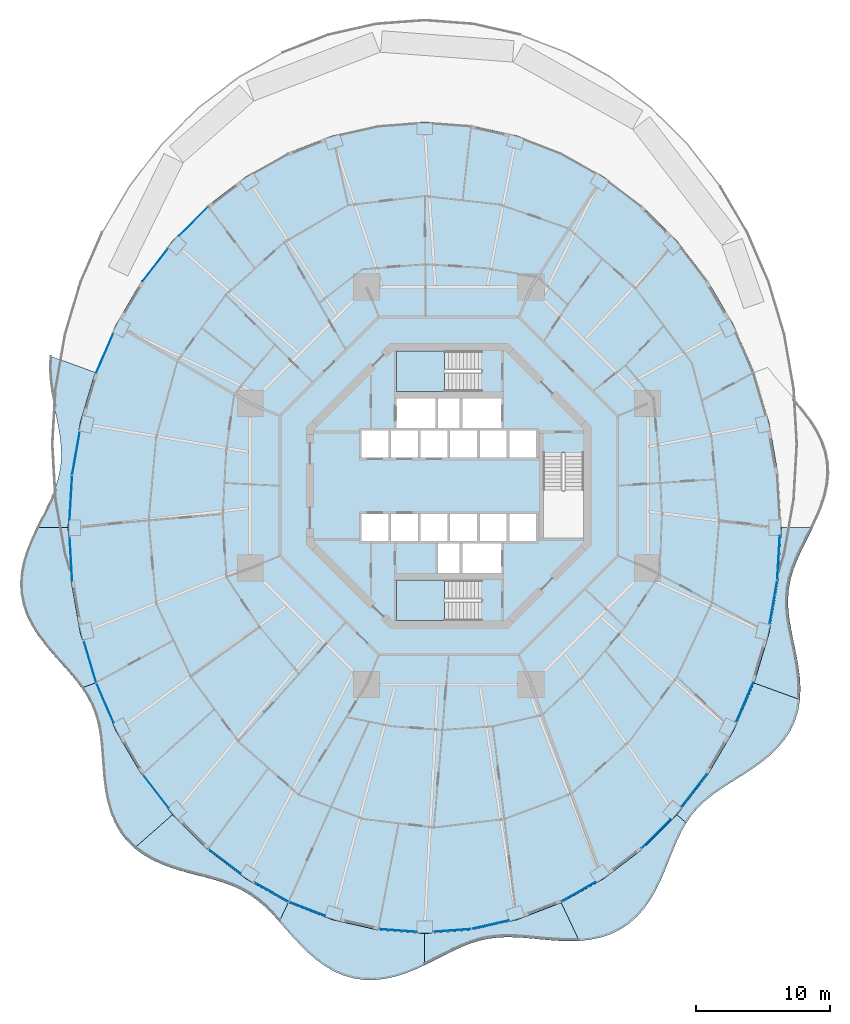
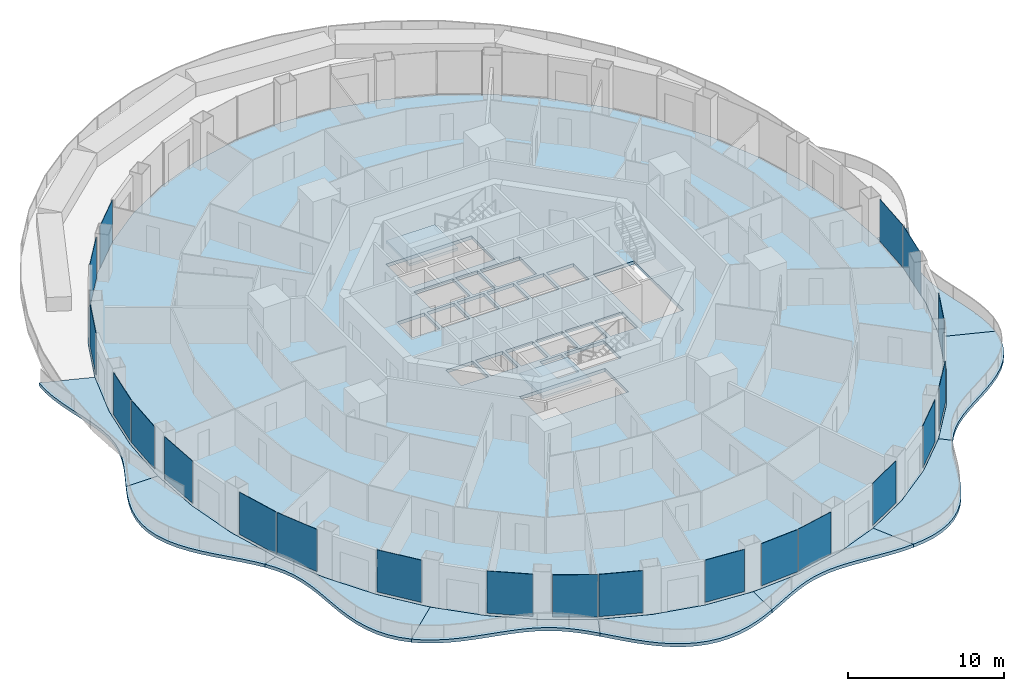
# One storey, part 10 of 20: 21 plates, 12 slabs, 23 elements without a shape of their own.
"""IFC4 building model written with IfcOpenShell, lengths in metres."""

from ifc_helpers import new_model, si_unit, direction, frame, origin, origin_2d, place, context, subcontext, project, spatial, polyline, rectangle, outline, extrude, material, layer, layer_set, type_object, element, aggregate, save


model = new_model("IFC4")

# Units and contexts
model_context = context("Model", 3, precision=1e-05, world=origin(), true_north=direction((0.0, 1.0)))
body_context = subcontext(model_context, "Body", "Model", "MODEL_VIEW")
ifc_project = project(units=[si_unit("LENGTHUNIT", "METRE"), si_unit("AREAUNIT", "SQUARE_METRE"), si_unit("VOLUMEUNIT", "CUBIC_METRE"), si_unit("PLANEANGLEUNIT", "RADIAN"), si_unit("MASSUNIT", "GRAM", prefix="KILO")], contexts=[model_context])

# Site, building, storey
site_placement = place(None, origin())
site = spatial("IfcSite", under=ifc_project, at=site_placement, CompositionType="ELEMENT")
building_placement = place(site_placement, origin())
building = spatial("IfcBuilding", under=site, at=building_placement, Name="Nagisa Residences", CompositionType="ELEMENT")
storey_placement = place(building_placement, frame((0.0, 0.0, 119.60009765625)))
storey = spatial("IfcBuildingStorey", under=building, at=storey_placement, Name="L29", CompositionType="ELEMENT", Elevation=119.60009765625)

# Slabs
ifc_material_1 = material(Name="Concrete C40/50", Category="concrete")
ifc_layer_1 = layer(ifc_material_1, 0.25)
ifc_layer_set_1 = layer_set([ifc_layer_1], Name="BALCONY SLAB 250")
slab_type_1 = type_object("IfcSlabType", Name="BALCONY SLAB 250", PredefinedType="FLOOR", material=ifc_layer_set_1)
slab_1_placement = place(storey_placement, frame((0.0, 0.0, -0.25)))
element("IfcSlab", 1, at=slab_1_placement, inside=storey, type_object=slab_type_1, Name="slab:L29:bal07", PredefinedType="FLOOR", context=body_context, shape_type="SweptSolid", body=[
    extrude(outline(polyline([(-29.717529296875, 9.67578125), (-29.754638671875, 8.824462890625), (-29.70556640625, 7.957763671875), (-29.58935546875, 7.086181640625), (-29.429443359375, 6.219482421875), (-29.250732421875, 5.36572265625), (-29.079345703125, 4.53076171875), (-28.939208984375, 3.71728515625), (-28.8515625, 2.926025390625), (-28.832763671875, 2.1552734375), (-28.893798828125, 1.400634765625), (-29.037841796875, 0.65673828125), (-29.262451171875, -0.0830078125), (-29.557861328125, -0.8251953125), (-29.907958984375, -1.575439453125), (-30.291748046875, -2.338623046875), (-30.68505859375, -3.11767578125), (-28.3349609375, -3.11767578125), (-28.10791015625, 0.823486328125), (-27.430908203125, 4.697265625), (-26.315185546875, 8.4375), (-29.717529296875, 9.67578125)])), origin(), (0.0, 0.0, 1.0), 0.25),
])
slab_2_placement = place(storey_placement, frame((0.0, 0.0, -0.25)))
element("IfcSlab", 2, at=slab_2_placement, inside=storey, type_object=slab_type_1, Name="slab:L29:bal08", PredefinedType="FLOOR", context=body_context, shape_type="SweptSolid", body=[
    extrude(outline(polyline([(-30.68505859375, -3.11767578125), (-31.061279296875, -3.9130859375), (-31.39453125, -4.7236328125), (-31.66015625, -5.545654296875), (-31.83740234375, -6.3740234375), (-31.909912109375, -7.20166015625), (-31.868408203125, -8.02197265625), (-31.709716796875, -8.827392578125), (-31.437744140625, -9.611572265625), (-31.06298828125, -10.3701171875), (-30.60205078125, -11.10009765625), (-30.075927734375, -11.80126953125), (-29.509033203125, -12.47607421875), (-28.9267578125, -13.129638671875), (-28.3544921875, -13.76904296875), (-27.815673828125, -14.403076171875), (-27.329345703125, -15.0419921875), (-26.315185546875, -14.6728515625), (-27.430908203125, -10.9326171875), (-28.10791015625, -7.058837890625), (-28.3349609375, -3.11767578125), (-30.68505859375, -3.11767578125)])), origin(), (0.0, 0.0, 1.0), 0.25),
])
slab_3_placement = place(storey_placement, frame((0.0, 0.0, -0.25)))
element("IfcSlab", 3, at=slab_3_placement, inside=storey, type_object=slab_type_1, Name="slab:L29:bal09", PredefinedType="FLOOR", context=body_context, shape_type="SweptSolid", body=[
    extrude(outline(polyline([(-27.329345703125, -15.0419921875), (-26.921875, -15.675048828125), (-26.584716796875, -16.330322265625), (-26.320068359375, -17.0146484375), (-26.123779296875, -17.732666015625), (-25.986328125, -18.486572265625), (-25.893798828125, -19.275146484375), (-25.828369140625, -20.09375), (-25.769775390625, -20.934814453125), (-25.69677734375, -21.787841796875), (-25.588134765625, -22.639892578125), (-25.425537109375, -23.476806640625), (-25.1923828125, -24.283935546875), (-24.87744140625, -25.047119140625), (-24.4736328125, -25.75341796875), (-23.97900390625, -26.39306640625), (-23.397216796875, -26.959228515625), (-20.56298828125, -24.46875), (-22.8515625, -21.499267578125), (-24.780029296875, -18.215087890625), (-26.315185546875, -14.6728515625), (-27.329345703125, -15.0419921875)])), origin(), (0.0, 0.0, 1.0), 0.25),
])
slab_4_placement = place(storey_placement, frame((0.0, 0.0, -0.25)))
element("IfcSlab", 4, at=slab_4_placement, inside=storey, type_object=slab_type_1, Name="slab:L29:bal10", PredefinedType="FLOOR", context=body_context, shape_type="SweptSolid", body=[
    extrude(outline(polyline([(-23.397216796875, -26.959228515625), (-22.768798828125, -27.42822265625), (-22.0791015625, -27.8291015625), (-21.341552734375, -28.16748046875), (-20.57080078125, -28.451904296875), (-19.7822265625, -28.693603515625), (-18.991455078125, -28.9072265625), (-18.21240234375, -29.10791015625), (-17.45654296875, -29.31201171875), (-16.73291015625, -29.535400390625), (-16.047119140625, -29.792236328125), (-15.4013671875, -30.09423828125), (-14.7939453125, -30.44970703125), (-14.22021484375, -30.863037109375), (-13.673095703125, -31.333984375), (-13.14306640625, -31.857666015625), (-12.619384765625, -32.425048828125), (-11.95458984375, -31.01416015625), (-15.0673828125, -29.267333984375), (-17.953369140625, -27.072998046875), (-20.56298828125, -24.46875), (-23.397216796875, -26.959228515625)])), origin(), (0.0, 0.0, 1.0), 0.25),
])
slab_5_placement = place(storey_placement, frame((0.0, 0.0, -0.25)))
element("IfcSlab", 5, at=slab_5_placement, inside=storey, type_object=slab_type_1, Name="slab:L29:bal11", PredefinedType="FLOOR", context=body_context, shape_type="SweptSolid", body=[
    extrude(outline(polyline([(-12.619384765625, -32.425048828125), (-12.110595703125, -33.00048828125), (-11.58837890625, -33.5888671875), (-11.044189453125, -34.173583984375), (-10.471923828125, -34.736572265625), (-9.86669921875, -35.25927734375), (-9.226806640625, -35.724365234375), (-8.55224609375, -36.116943359375), (-7.845947265625, -36.42431640625), (-7.1123046875, -36.6376953125), (-6.35791015625, -36.75244140625), (-5.590087890625, -36.768310546875), (-4.81640625, -36.690185546875), (-4.04443359375, -36.5263671875), (-3.281005859375, -36.289794921875), (-2.53173828125, -35.995849609375), (-1.800048828125, -35.66259765625), (-1.800048828125, -33.312744140625), (-5.263427734375, -33.054443359375), (-8.667724609375, -32.283935546875), (-11.95458984375, -31.01416015625), (-12.619384765625, -32.425048828125)])), origin(), (0.0, 0.0, 1.0), 0.25),
])
slab_6_placement = place(storey_placement, frame((0.0, 0.0, -0.25)))
element("IfcSlab", 6, at=slab_6_placement, inside=storey, type_object=slab_type_1, Name="slab:L29:bal12", PredefinedType="FLOOR", context=body_context, shape_type="SweptSolid", body=[
    extrude(outline(polyline([(-1.800048828125, -35.66259765625), (-1.087646484375, -35.30908203125), (-0.39404296875, -34.954345703125), (0.282958984375, -34.616455078125), (0.94775390625, -34.310791015625), (1.606201171875, -34.05078125), (2.26416015625, -33.844970703125), (2.9287109375, -33.6982421875), (3.605712890625, -33.611083984375), (4.300537109375, -33.5791015625), (5.016845703125, -33.59375), (5.756103515625, -33.6435546875), (6.517822265625, -33.713623046875), (7.298583984375, -33.787353515625), (8.093505859375, -33.8466796875), (8.894775390625, -33.874755859375), (9.693359375, -33.85498046875), (8.3544921875, -31.01416015625), (5.06787109375, -32.283935546875), (1.66357421875, -33.054443359375), (-1.800048828125, -33.312744140625), (-1.800048828125, -35.66259765625)])), origin(), (0.0, 0.0, 1.0), 0.25),
])
slab_7_placement = place(storey_placement, frame((0.0, 0.0, -0.25)))
element("IfcSlab", 7, at=slab_7_placement, inside=storey, type_object=slab_type_1, Name="slab:L29:bal13", PredefinedType="FLOOR", context=body_context, shape_type="SweptSolid", body=[
    extrude(outline(polyline([(9.693359375, -33.85498046875), (10.50830078125, -33.768798828125), (11.297607421875, -33.603271484375), (12.050048828125, -33.350341796875), (12.755126953125, -33.005859375), (13.405029296875, -32.5703125), (13.994140625, -32.04931640625), (14.520751953125, -31.45166015625), (14.986083984375, -30.790283203125), (15.3955078125, -30.080078125), (15.757080078125, -29.338134765625), (16.08203125, -28.581298828125), (16.38427734375, -27.826171875), (16.67822265625, -27.08740234375), (16.979248046875, -26.3779296875), (17.302001953125, -25.70703125), (17.659423828125, -25.080810546875), (16.963134765625, -24.46875), (14.353515625, -27.072998046875), (11.467529296875, -29.267333984375), (8.3544921875, -31.01416015625), (9.693359375, -33.85498046875)])), origin(), (0.0, 0.0, 1.0), 0.25),
])
slab_8_placement = place(storey_placement, frame((0.0, 0.0, -0.25)))
element("IfcSlab", 8, at=slab_8_placement, inside=storey, type_object=slab_type_1, Name="slab:L29:bal14", PredefinedType="FLOOR", context=body_context, shape_type="SweptSolid", body=[
    extrude(outline(polyline([(17.659423828125, -25.080810546875), (18.082763671875, -24.47412109375), (18.5634765625, -23.917236328125), (19.1044921875, -23.404541015625), (19.704345703125, -22.927001953125), (20.355224609375, -22.47265625), (21.045654296875, -22.0283203125), (21.759521484375, -21.580078125), (22.4775390625, -21.11474609375), (23.178955078125, -20.620361328125), (23.842041015625, -20.0869140625), (24.447021484375, -19.50830078125), (24.975341796875, -18.880126953125), (25.413330078125, -18.202392578125), (25.75146484375, -17.4775390625), (25.985595703125, -16.71142578125), (26.117431640625, -15.911376953125), (22.715087890625, -14.6728515625), (21.179931640625, -18.215087890625), (19.251708984375, -21.499267578125), (16.963134765625, -24.46875), (17.659423828125, -25.080810546875)])), origin(), (0.0, 0.0, 1.0), 0.25),
])
slab_9_placement = place(storey_placement, frame((0.0, 0.0, -0.25)))
element("IfcSlab", 9, at=slab_9_placement, inside=storey, type_object=slab_type_1, Name="slab:L29:bal15", PredefinedType="FLOOR", context=body_context, shape_type="SweptSolid", body=[
    extrude(outline(polyline([(26.117431640625, -15.911376953125), (26.15478515625, -15.06005859375), (26.10546875, -14.193115234375), (25.9892578125, -13.321533203125), (25.829345703125, -12.454833984375), (25.650634765625, -11.60107421875), (25.479248046875, -10.76611328125), (25.339111328125, -9.95263671875), (25.25146484375, -9.16162109375), (25.23291015625, -8.390625), (25.293701171875, -7.635986328125), (25.43798828125, -6.89208984375), (25.66259765625, -6.15234375), (25.957763671875, -5.41015625), (26.307861328125, -4.659912109375), (26.691650390625, -3.896728515625), (27.0849609375, -3.11767578125), (24.735107421875, -3.11767578125), (24.508056640625, -7.058837890625), (23.830810546875, -10.9326171875), (22.715087890625, -14.6728515625), (26.117431640625, -15.911376953125)])), origin(), (0.0, 0.0, 1.0), 0.25),
])

# Curtain wall, plate
ifc_material_2 = material(Name="Concrete-coloured aluminium curtain wall system", Category="concrete")
ifc_layer_2 = layer(ifc_material_2, 0.159912109375)
ifc_layer_set_2 = layer_set([ifc_layer_2], Name="CW1 CURTAIN WALL")
curtain_wall_type = type_object("IfcCurtainWallType", Name="CW1 CURTAIN WALL", PredefinedType="NOTDEFINED", material=ifc_layer_set_2)
curtain_wall_1_placement = place(storey_placement, origin())
curtain_wall_1 = element("IfcCurtainWall", 10, at=curtain_wall_1_placement, inside=storey, type_object=curtain_wall_type, Name="cw:CW1:L29:17", PredefinedType="NOTDEFINED")
ifc_material_3 = material(Name="Clear laminated glass", Category="glass")
ifc_layer_3 = layer(ifc_material_3, 0.028076171875)
ifc_layer_set_3 = layer_set([ifc_layer_3], Name="CW1 GLASS PANEL")
plate_type = type_object("IfcPlateType", Name="CW1 GLASS PANEL", PredefinedType="CURTAIN_PANEL", material=ifc_layer_set_3)
plate_1_placement = place(storey_placement, frame((-19.0107421875, 19.669677734375, 0.14990234375), z_axis=(0.0, 0.0, 1.0), x_axis=(-0.707835924016, -0.706376885714, 0.0)))
plate_1 = element("IfcPlate", 11, at=plate_1_placement, type_object=plate_type, Name="CW1 panel", PredefinedType="CURTAIN_PANEL", context=body_context, shape_type="SweptSolid", body=[
    extrude(rectangle(XDim=3.026611328125, YDim=0.028076171875, at=origin_2d()), origin(), (0.0, 0.0, 1.0), 3.2900390625),
])
aggregate(curtain_wall_1, [plate_1])

curtain_wall_2_placement = place(storey_placement, origin())
curtain_wall_2 = element("IfcCurtainWall", 12, at=curtain_wall_2_placement, inside=storey, type_object=curtain_wall_type, Name="cw:CW1:L29:18", PredefinedType="NOTDEFINED")
plate_2_placement = place(storey_placement, frame((-21.845458984375, 16.4384765625, 0.14990234375), z_axis=(0.0, 0.0, 1.0), x_axis=(-0.610429828235, -0.792070340816, 0.0)))
plate_2 = element("IfcPlate", 13, at=plate_2_placement, type_object=plate_type, Name="CW1 panel", PredefinedType="CURTAIN_PANEL", context=body_context, shape_type="SweptSolid", body=[
    extrude(rectangle(XDim=3.089111328125, YDim=0.028076171875, at=origin_2d()), origin(), (0.0, 0.0, 1.0), 3.2900390625),
])
aggregate(curtain_wall_2, [plate_2])

curtain_wall_3_placement = place(storey_placement, origin())
curtain_wall_3 = element("IfcCurtainWall", 14, at=curtain_wall_3_placement, inside=storey, type_object=curtain_wall_type, Name="cw:CW1:L29:20", PredefinedType="NOTDEFINED")
plate_3_placement = place(storey_placement, frame((-25.60546875, 9.8740234375, 0.14990234375), z_axis=(0.0, 0.0, 1.0), x_axis=(-0.397635934147, -0.917543276295, 0.0)))
plate_3 = element("IfcPlate", 15, at=plate_3_placement, type_object=plate_type, Name="CW1 panel", PredefinedType="CURTAIN_PANEL", context=body_context, shape_type="SweptSolid", body=[
    extrude(rectangle(XDim=3.20068359375, YDim=0.028076171875, at=origin_2d()), origin(), (0.0, 0.0, 1.0), 3.2900390625),
])
aggregate(curtain_wall_3, [plate_3])

curtain_wall_4_placement = place(storey_placement, origin())
curtain_wall_4 = element("IfcCurtainWall", 16, at=curtain_wall_4_placement, inside=storey, type_object=curtain_wall_type, Name="cw:CW1:L29:22", PredefinedType="NOTDEFINED")
plate_4_placement = place(storey_placement, frame((-27.747314453125, 2.421630859375, 0.14990234375), z_axis=(0.0, 0.0, 1.0), x_axis=(-0.172190868898, -0.985063604377, 0.0)))
plate_4 = element("IfcPlate", 17, at=plate_4_placement, type_object=plate_type, Name="CW1 panel", PredefinedType="CURTAIN_PANEL", context=body_context, shape_type="SweptSolid", body=[
    extrude(rectangle(XDim=3.2724609375, YDim=0.028076171875, at=origin_2d()), origin(), (0.0, 0.0, 1.0), 3.2900390625),
])
aggregate(curtain_wall_4, [plate_4])

curtain_wall_5_placement = place(storey_placement, origin())
curtain_wall_5 = element("IfcCurtainWall", 18, at=curtain_wall_5_placement, inside=storey, type_object=curtain_wall_type, Name="cw:CW1:L29:23", PredefinedType="NOTDEFINED")
plate_5_placement = place(storey_placement, frame((-28.126220703125, -0.882080078125, 0.14990234375), z_axis=(0.0, 0.0, 1.0), x_axis=(-0.057503492216, -0.998345305184, 0.0)))
plate_5 = element("IfcPlate", 19, at=plate_5_placement, type_object=plate_type, Name="CW1 panel", PredefinedType="CURTAIN_PANEL", context=body_context, shape_type="SweptSolid", body=[
    extrude(rectangle(XDim=3.287841796875, YDim=0.028076171875, at=origin_2d()), origin(), (0.0, 0.0, 1.0), 3.2900390625),
])
aggregate(curtain_wall_5, [plate_5])

curtain_wall_6_placement = place(storey_placement, origin())
curtain_wall_6 = element("IfcCurtainWall", 20, at=curtain_wall_6_placement, inside=storey, type_object=curtain_wall_type, Name="cw:CW1:L29:24", PredefinedType="NOTDEFINED")
plate_6_placement = place(storey_placement, frame((-28.12255859375, -5.4130859375, 0.14990234375), z_axis=(0.0, 0.0, 1.0), x_axis=(0.057503492216, -0.998345305184, 0.0)))
plate_6 = element("IfcPlate", 21, at=plate_6_placement, type_object=plate_type, Name="CW1 panel", PredefinedType="CURTAIN_PANEL", context=body_context, shape_type="SweptSolid", body=[
    extrude(rectangle(XDim=3.287841796875, YDim=0.028076171875, at=origin_2d()), origin(), (0.0, 0.0, 1.0), 3.2900390625),
])
aggregate(curtain_wall_6, [plate_6])

curtain_wall_7_placement = place(storey_placement, origin())
curtain_wall_7 = element("IfcCurtainWall", 22, at=curtain_wall_7_placement, inside=storey, type_object=curtain_wall_type, Name="cw:CW1:L29:26", PredefinedType="NOTDEFINED")
plate_7_placement = place(storey_placement, frame((-26.701904296875, -13.09619140625, 0.14990234375), z_axis=(0.0, 0.0, 1.0), x_axis=(0.285860274038, -0.958271310082, 0.0)))
plate_7 = element("IfcPlate", 23, at=plate_7_placement, type_object=plate_type, Name="CW1 panel", PredefinedType="CURTAIN_PANEL", context=body_context, shape_type="SweptSolid", body=[
    extrude(rectangle(XDim=3.242919921875, YDim=0.028076171875, at=origin_2d()), origin(), (0.0, 0.0, 1.0), 3.2900390625),
])
aggregate(curtain_wall_7, [plate_7])

curtain_wall_8_placement = place(storey_placement, origin())
curtain_wall_8 = element("IfcCurtainWall", 24, at=curtain_wall_8_placement, inside=storey, type_object=curtain_wall_type, Name="cw:CW1:L29:27", PredefinedType="NOTDEFINED")
plate_8_placement = place(storey_placement, frame((-25.58154296875, -16.16455078125, 0.14990234375), z_axis=(0.0, 0.0, 1.0), x_axis=(0.397635934147, -0.917543276295, 0.0)))
plate_8 = element("IfcPlate", 25, at=plate_8_placement, type_object=plate_type, Name="CW1 panel", PredefinedType="CURTAIN_PANEL", context=body_context, shape_type="SweptSolid", body=[
    extrude(rectangle(XDim=3.20068359375, YDim=0.028076171875, at=origin_2d()), origin(), (0.0, 0.0, 1.0), 3.2900390625),
])
aggregate(curtain_wall_8, [plate_8])

curtain_wall_9_placement = place(storey_placement, origin())
curtain_wall_9 = element("IfcCurtainWall", 26, at=curtain_wall_9_placement, inside=storey, type_object=curtain_wall_type, Name="cw:CW1:L29:29", PredefinedType="NOTDEFINED")
plate_9_placement = place(storey_placement, frame((-21.808837890625, -22.721435546875, 0.14990234375), z_axis=(0.0, 0.0, 1.0), x_axis=(0.610429828235, -0.792070340816, 0.0)))
plate_9 = element("IfcPlate", 27, at=plate_9_placement, type_object=plate_type, Name="CW1 panel", PredefinedType="CURTAIN_PANEL", context=body_context, shape_type="SweptSolid", body=[
    extrude(rectangle(XDim=3.089111328125, YDim=0.028076171875, at=origin_2d()), origin(), (0.0, 0.0, 1.0), 3.2900390625),
])
aggregate(curtain_wall_9, [plate_9])

curtain_wall_10_placement = place(storey_placement, origin())
curtain_wall_10 = element("IfcCurtainWall", 28, at=curtain_wall_10_placement, inside=storey, type_object=curtain_wall_type, Name="cw:CW1:L29:31", PredefinedType="NOTDEFINED")
plate_10_placement = place(storey_placement, frame((-16.677001953125, -27.943115234375, 0.14990234375), z_axis=(0.0, 0.0, 1.0), x_axis=(0.79603132756, -0.605255421737, 0.0)))
plate_10 = element("IfcPlate", 29, at=plate_10_placement, type_object=plate_type, Name="CW1 panel", PredefinedType="CURTAIN_PANEL", context=body_context, shape_type="SweptSolid", body=[
    extrude(rectangle(XDim=2.965576171875, YDim=0.028076171875, at=origin_2d()), origin(), (0.0, 0.0, 1.0), 3.2900390625),
])
aggregate(curtain_wall_10, [plate_10])

curtain_wall_11_placement = place(storey_placement, origin())
curtain_wall_11 = element("IfcCurtainWall", 30, at=curtain_wall_11_placement, inside=storey, type_object=curtain_wall_type, Name="cw:CW1:L29:32", PredefinedType="NOTDEFINED")
plate_11_placement = place(storey_placement, frame((-13.18408203125, -30.232421875, 0.14990234375), z_axis=(0.0, 0.0, 1.0), x_axis=(0.872072377523, -0.489376918501, 0.0)))
plate_11 = element("IfcPlate", 31, at=plate_11_placement, type_object=plate_type, Name="CW1 panel", PredefinedType="CURTAIN_PANEL", context=body_context, shape_type="SweptSolid", body=[
    extrude(rectangle(XDim=2.90966796875, YDim=0.028076171875, at=origin_2d()), origin(), (0.0, 0.0, 1.0), 3.2900390625),
])
aggregate(curtain_wall_11, [plate_11])

curtain_wall_12_placement = place(storey_placement, origin())
curtain_wall_12 = element("IfcCurtainWall", 32, at=curtain_wall_12_placement, inside=storey, type_object=curtain_wall_type, Name="cw:CW1:L29:33", PredefinedType="NOTDEFINED")
plate_12_placement = place(storey_placement, frame((-10.5341796875, -31.47705078125, 0.14990234375), z_axis=(0.0, 0.0, 1.0), x_axis=(0.932825759707, -0.360327770268, 0.0)))
plate_12 = element("IfcPlate", 33, at=plate_12_placement, type_object=plate_type, Name="CW1 panel", PredefinedType="CURTAIN_PANEL", context=body_context, shape_type="SweptSolid", body=[
    extrude(rectangle(XDim=2.863525390625, YDim=0.028076171875, at=origin_2d()), origin(), (0.0, 0.0, 1.0), 3.2900390625),
])
aggregate(curtain_wall_12, [plate_12])

curtain_wall_13_placement = place(storey_placement, origin())
curtain_wall_13 = element("IfcCurtainWall", 34, at=curtain_wall_13_placement, inside=storey, type_object=curtain_wall_type, Name="cw:CW1:L29:35", PredefinedType="NOTDEFINED")
plate_13_placement = place(storey_placement, frame((-3.795166015625, -33.083740234375, 0.14990234375), z_axis=(0.0, 0.0, 1.0), x_axis=(0.997230168512, -0.074377355493, 0.0)))
plate_13 = element("IfcPlate", 35, at=plate_13_placement, type_object=plate_type, Name="CW1 panel", PredefinedType="CURTAIN_PANEL", context=body_context, shape_type="SweptSolid", body=[
    extrude(rectangle(XDim=2.813232421875, YDim=0.028076171875, at=origin_2d()), origin(), (0.0, 0.0, 1.0), 3.2900390625),
])
aggregate(curtain_wall_13, [plate_13])

curtain_wall_14_placement = place(storey_placement, origin())
curtain_wall_14 = element("IfcCurtainWall", 36, at=curtain_wall_14_placement, inside=storey, type_object=curtain_wall_type, Name="cw:CW1:L29:36", PredefinedType="NOTDEFINED")
plate_14_placement = place(storey_placement, frame((0.2548828125, -33.0791015625, 0.14990234375), z_axis=(0.0, 0.0, 1.0), x_axis=(0.997230168512, 0.074377355493, 0.0)))
plate_14 = element("IfcPlate", 37, at=plate_14_placement, type_object=plate_type, Name="CW1 panel", PredefinedType="CURTAIN_PANEL", context=body_context, shape_type="SweptSolid", body=[
    extrude(rectangle(XDim=2.813232421875, YDim=0.028076171875, at=origin_2d()), origin(), (0.0, 0.0, 1.0), 3.2900390625),
])
aggregate(curtain_wall_14, [plate_14])

curtain_wall_15_placement = place(storey_placement, origin())
curtain_wall_15 = element("IfcCurtainWall", 38, at=curtain_wall_15_placement, inside=storey, type_object=curtain_wall_type, Name="cw:CW1:L29:37", PredefinedType="NOTDEFINED")
plate_15_placement = place(storey_placement, frame((3.084716796875, -32.650634765625, 0.14990234375), z_axis=(0.0, 0.0, 1.0), x_axis=(0.975327274089, 0.2207639201, 0.0)))
plate_15 = element("IfcPlate", 39, at=plate_15_placement, type_object=plate_type, Name="CW1 panel", PredefinedType="CURTAIN_PANEL", context=body_context, shape_type="SweptSolid", body=[
    extrude(rectangle(XDim=2.830322265625, YDim=0.028076171875, at=origin_2d()), origin(), (0.0, 0.0, 1.0), 3.2900390625),
])
aggregate(curtain_wall_15, [plate_15])

curtain_wall_16_placement = place(storey_placement, origin())
curtain_wall_16 = element("IfcCurtainWall", 40, at=curtain_wall_16_placement, inside=storey, type_object=curtain_wall_type, Name="cw:CW1:L29:39", PredefinedType="NOTDEFINED")
plate_16_placement = place(storey_placement, frame((9.636474609375, -30.203125, 0.14990234375), z_axis=(0.0, 0.0, 1.0), x_axis=(0.872072377523, 0.489376918501, 0.0)))
plate_16 = element("IfcPlate", 41, at=plate_16_placement, type_object=plate_type, Name="CW1 panel", PredefinedType="CURTAIN_PANEL", context=body_context, shape_type="SweptSolid", body=[
    extrude(rectangle(XDim=2.90966796875, YDim=0.028076171875, at=origin_2d()), origin(), (0.0, 0.0, 1.0), 3.2900390625),
])
aggregate(curtain_wall_16, [plate_16])

curtain_wall_17_placement = place(storey_placement, origin())
curtain_wall_17 = element("IfcCurtainWall", 42, at=curtain_wall_17_placement, inside=storey, type_object=curtain_wall_type, Name="cw:CW1:L29:41", PredefinedType="NOTDEFINED")
plate_17_placement = place(storey_placement, frame((15.41064453125, -25.905029296875, 0.14990234375), z_axis=(0.0, 0.0, 1.0), x_axis=(0.707835924016, 0.706376885714, 0.0)))
plate_17 = element("IfcPlate", 43, at=plate_17_placement, type_object=plate_type, Name="CW1 panel", PredefinedType="CURTAIN_PANEL", context=body_context, shape_type="SweptSolid", body=[
    extrude(rectangle(XDim=3.026611328125, YDim=0.028076171875, at=origin_2d()), origin(), (0.0, 0.0, 1.0), 3.2900390625),
])
aggregate(curtain_wall_17, [plate_17])

curtain_wall_18_placement = place(storey_placement, origin())
curtain_wall_18 = element("IfcCurtainWall", 44, at=curtain_wall_18_placement, inside=storey, type_object=curtain_wall_type, Name="cw:CW1:L29:42", PredefinedType="NOTDEFINED")
plate_18_placement = place(storey_placement, frame((18.245361328125, -22.673828125, 0.14990234375), z_axis=(0.0, 0.0, 1.0), x_axis=(0.610429828235, 0.792070340816, 0.0)))
plate_18 = element("IfcPlate", 45, at=plate_18_placement, type_object=plate_type, Name="CW1 panel", PredefinedType="CURTAIN_PANEL", context=body_context, shape_type="SweptSolid", body=[
    extrude(rectangle(XDim=3.089111328125, YDim=0.028076171875, at=origin_2d()), origin(), (0.0, 0.0, 1.0), 3.2900390625),
])
aggregate(curtain_wall_18, [plate_18])

curtain_wall_19_placement = place(storey_placement, origin())
curtain_wall_19 = element("IfcCurtainWall", 46, at=curtain_wall_19_placement, inside=storey, type_object=curtain_wall_type, Name="cw:CW1:L29:44", PredefinedType="NOTDEFINED")
plate_19_placement = place(storey_placement, frame((22.00537109375, -16.109375, 0.14990234375), z_axis=(0.0, 0.0, 1.0), x_axis=(0.397635934147, 0.917543276295, 0.0)))
plate_19 = element("IfcPlate", 47, at=plate_19_placement, type_object=plate_type, Name="CW1 panel", PredefinedType="CURTAIN_PANEL", context=body_context, shape_type="SweptSolid", body=[
    extrude(rectangle(XDim=3.20068359375, YDim=0.028076171875, at=origin_2d()), origin(), (0.0, 0.0, 1.0), 3.2900390625),
])
aggregate(curtain_wall_19, [plate_19])

curtain_wall_20_placement = place(storey_placement, origin())
curtain_wall_20 = element("IfcCurtainWall", 48, at=curtain_wall_20_placement, inside=storey, type_object=curtain_wall_type, Name="cw:CW1:L29:46", PredefinedType="NOTDEFINED")
plate_20_placement = place(storey_placement, frame((24.1474609375, -8.656982421875, 0.14990234375), z_axis=(0.0, 0.0, 1.0), x_axis=(0.172190868898, 0.985063604377, 0.0)))
plate_20 = element("IfcPlate", 49, at=plate_20_placement, type_object=plate_type, Name="CW1 panel", PredefinedType="CURTAIN_PANEL", context=body_context, shape_type="SweptSolid", body=[
    extrude(rectangle(XDim=3.2724609375, YDim=0.028076171875, at=origin_2d()), origin(), (0.0, 0.0, 1.0), 3.2900390625),
])
aggregate(curtain_wall_20, [plate_20])

curtain_wall_21_placement = place(storey_placement, origin())
curtain_wall_21 = element("IfcCurtainWall", 50, at=curtain_wall_21_placement, inside=storey, type_object=curtain_wall_type, Name="cw:CW1:L29:47", PredefinedType="NOTDEFINED")
plate_21_placement = place(storey_placement, frame((24.526123046875, -5.353271484375, 0.14990234375), z_axis=(0.0, 0.0, 1.0), x_axis=(0.057503492216, 0.998345305184, 0.0)))
plate_21 = element("IfcPlate", 51, at=plate_21_placement, type_object=plate_type, Name="CW1 panel", PredefinedType="CURTAIN_PANEL", context=body_context, shape_type="SweptSolid", body=[
    extrude(rectangle(XDim=3.287841796875, YDim=0.028076171875, at=origin_2d()), origin(), (0.0, 0.0, 1.0), 3.2900390625),
])
aggregate(curtain_wall_21, [plate_21])

# Slab
ifc_material_4 = material(Name="Concrete C40", Category="concrete")
ifc_layer_4 = layer(ifc_material_4, 0.260009765625)
ifc_layer_set_4 = layer_set([ifc_layer_4], Name="Floor slab 260")
slab_type_2 = type_object("IfcSlabType", Name="Floor slab 260", PredefinedType="FLOOR", material=ifc_layer_set_4)
slab_10_placement = place(storey_placement, frame((0.0, 0.0, -0.260009765625)))
element("IfcSlab", 52, at=slab_10_placement, inside=storey, type_object=slab_type_2, Name="slab:L29:floor", PredefinedType="FLOOR", context=body_context, shape_type="SweptSolid", body=[
    extrude(outline(polyline([(24.735107421875, -3.11767578125), (24.508056640625, 0.823486328125), (23.830810546875, 4.697265625), (22.715087890625, 8.4375), (21.179931640625, 11.979736328125), (19.251708984375, 15.263916015625), (16.963134765625, 18.2333984375), (14.353515625, 20.837646484375), (11.467529296875, 23.031982421875), (8.3544921875, 24.77880859375), (5.06787109375, 26.04833984375), (1.66357421875, 26.819091796875), (-1.800048828125, 27.077392578125), (-5.263427734375, 26.819091796875), (-8.667724609375, 26.04833984375), (-11.95458984375, 24.77880859375), (-15.0673828125, 23.031982421875), (-17.953369140625, 20.837646484375), (-20.56298828125, 18.2333984375), (-22.8515625, 15.263916015625), (-24.780029296875, 11.979736328125), (-26.315185546875, 8.4375), (-27.430908203125, 4.697265625), (-28.10791015625, 0.823486328125), (-28.3349609375, -3.11767578125), (-28.10791015625, -7.058837890625), (-27.430908203125, -10.9326171875), (-26.315185546875, -14.6728515625), (-24.780029296875, -18.215087890625), (-22.8515625, -21.499267578125), (-20.56298828125, -24.46875), (-17.953369140625, -27.072998046875), (-15.0673828125, -29.267333984375), (-11.95458984375, -31.01416015625), (-8.667724609375, -32.283935546875), (-5.263427734375, -33.054443359375), (-1.800048828125, -33.312744140625), (1.66357421875, -33.054443359375), (5.06787109375, -32.283935546875), (8.3544921875, -31.01416015625), (11.467529296875, -29.267333984375), (14.353515625, -27.072998046875), (16.963134765625, -24.46875), (19.251708984375, -21.499267578125), (21.179931640625, -18.215087890625), (22.715087890625, -14.6728515625), (23.830810546875, -10.9326171875), (24.508056640625, -7.058837890625), (24.735107421875, -3.11767578125)]), holes=[polyline([(-4.5, 2.10009765625), (-4.5, 4.10009765625), (-6.5, 4.10009765625), (-6.5, 2.10009765625), (-4.5, 2.10009765625)]), polyline([(-2.300048828125, 2.10009765625), (-2.300048828125, 4.10009765625), (-4.300048828125, 4.10009765625), (-4.300048828125, 2.10009765625), (-2.300048828125, 2.10009765625)]), polyline([(-0.10009765625, 2.10009765625), (-0.10009765625, 4.10009765625), (-2.10009765625, 4.10009765625), (-2.10009765625, 2.10009765625), (-0.10009765625, 2.10009765625)]), polyline([(2.10009765625, 2.10009765625), (2.10009765625, 4.10009765625), (0.10009765625, 4.10009765625), (0.10009765625, 2.10009765625), (2.10009765625, 2.10009765625)]), polyline([(4.300048828125, 2.10009765625), (4.300048828125, 4.10009765625), (2.300048828125, 4.10009765625), (2.300048828125, 2.10009765625), (4.300048828125, 2.10009765625)]), polyline([(6.5, 2.10009765625), (6.5, 4.10009765625), (4.5, 4.10009765625), (4.5, 2.10009765625), (6.5, 2.10009765625)]), polyline([(-4.5, -4.10009765625), (-4.5, -2.10009765625), (-6.5, -2.10009765625), (-6.5, -4.10009765625), (-4.5, -4.10009765625)]), polyline([(-2.300048828125, -4.10009765625), (-2.300048828125, -2.10009765625), (-4.300048828125, -2.10009765625), (-4.300048828125, -4.10009765625), (-2.300048828125, -4.10009765625)]), polyline([(-0.10009765625, -4.10009765625), (-0.10009765625, -2.10009765625), (-2.10009765625, -2.10009765625), (-2.10009765625, -4.10009765625), (-0.10009765625, -4.10009765625)]), polyline([(2.10009765625, -4.10009765625), (2.10009765625, -2.10009765625), (0.10009765625, -2.10009765625), (0.10009765625, -4.10009765625), (2.10009765625, -4.10009765625)]), polyline([(4.300048828125, -4.10009765625), (4.300048828125, -2.10009765625), (2.300048828125, -2.10009765625), (2.300048828125, -4.10009765625), (4.300048828125, -4.10009765625)]), polyline([(6.5, -4.10009765625), (6.5, -2.10009765625), (4.5, -2.10009765625), (4.5, -4.10009765625), (6.5, -4.10009765625)]), polyline([(3.89990234375, 4.300048828125), (3.89990234375, 6.5), (1.0, 6.5), (1.0, 4.300048828125), (3.89990234375, 4.300048828125)]), polyline([(3.89990234375, -6.5), (3.89990234375, -4.300048828125), (1.0, -4.300048828125), (1.0, -6.5), (3.89990234375, -6.5)]), polyline([(-1.0, 4.300048828125), (-1.0, 6.5), (-3.89990234375, 6.5), (-3.89990234375, 4.300048828125), (-1.0, 4.300048828125)]), polyline([(0.800048828125, 4.300048828125), (0.800048828125, 6.5), (-0.800048828125, 6.5), (-0.800048828125, 4.300048828125), (0.800048828125, 4.300048828125)]), polyline([(0.800048828125, -6.5), (0.800048828125, -4.300048828125), (-0.800048828125, -4.300048828125), (-0.800048828125, -6.5), (0.800048828125, -6.5)]), polyline([(10.024658203125, -3.89990234375), (7.024658203125, -3.89990234375), (7.024658203125, 2.425048828125), (10.024658203125, 2.425048828125), (10.024658203125, -3.89990234375)]), polyline([(-3.89990234375, 7.024658203125), (-3.89990234375, 10.024658203125), (2.425048828125, 10.024658203125), (2.425048828125, 7.024658203125), (-3.89990234375, 7.024658203125)]), polyline([(-3.89990234375, -10.024658203125), (-3.89990234375, -7.024658203125), (2.425048828125, -7.024658203125), (2.425048828125, -10.024658203125), (-3.89990234375, -10.024658203125)])]), origin(), (0.0, 0.0, 1.0), 0.260009765625),
])

# Stair, slab
ifc_material_5 = material(Name="Concrete C60", Category="concrete")
stair_type = type_object("IfcStairType", Name="Exit stair", PredefinedType="HALF_TURN_STAIR", material=ifc_material_5)
stair_1_placement = place(storey_placement, origin())
stair_1 = element("IfcStair", 53, at=stair_1_placement, inside=storey, type_object=stair_type, Name="L29 Exit stair N", PredefinedType="HALF_TURN_STAIR")
ifc_material_6 = material(Name="Concrete C60", Category="concrete")
ifc_layer_5 = layer(ifc_material_6, 0.199951171875)
ifc_layer_set_5 = layer_set([ifc_layer_5], Name="Stair landing")
slab_type_3 = type_object("IfcSlabType", Name="Stair landing", PredefinedType="LANDING", material=ifc_layer_set_5)
slab_11_placement = place(storey_placement, frame((0.0, 0.0, 1.64990234375)))
slab_11 = element("IfcSlab", 54, at=slab_11_placement, type_object=slab_type_3, Name="ST-N landing 1", PredefinedType="LANDING", context=body_context, shape_type="SweptSolid", body=[
    extrude(outline(polyline([(-0.324951171875, 10.024658203125), (-3.89990234375, 10.024658203125), (-3.89990234375, 7.024658203125), (-0.324951171875, 7.024658203125), (-0.324951171875, 10.024658203125)])), origin(), (0.0, 0.0, 1.0), 0.199951171875),
])
aggregate(stair_1, [slab_11])

stair_2_placement = place(storey_placement, origin())
stair_2 = element("IfcStair", 55, at=stair_2_placement, inside=storey, type_object=stair_type, Name="L29 Exit stair S", PredefinedType="HALF_TURN_STAIR")
slab_12_placement = place(storey_placement, frame((0.0, 0.0, 1.64990234375)))
slab_12 = element("IfcSlab", 56, at=slab_12_placement, type_object=slab_type_3, Name="ST-S landing 1", PredefinedType="LANDING", context=body_context, shape_type="SweptSolid", body=[
    extrude(outline(polyline([(-0.324951171875, -7.024658203125), (-3.89990234375, -7.024658203125), (-3.89990234375, -10.024658203125), (-0.324951171875, -10.024658203125), (-0.324951171875, -7.024658203125)])), origin(), (0.0, 0.0, 1.0), 0.199951171875),
])
aggregate(stair_2, [slab_12])

save(model, "model.ifc")
